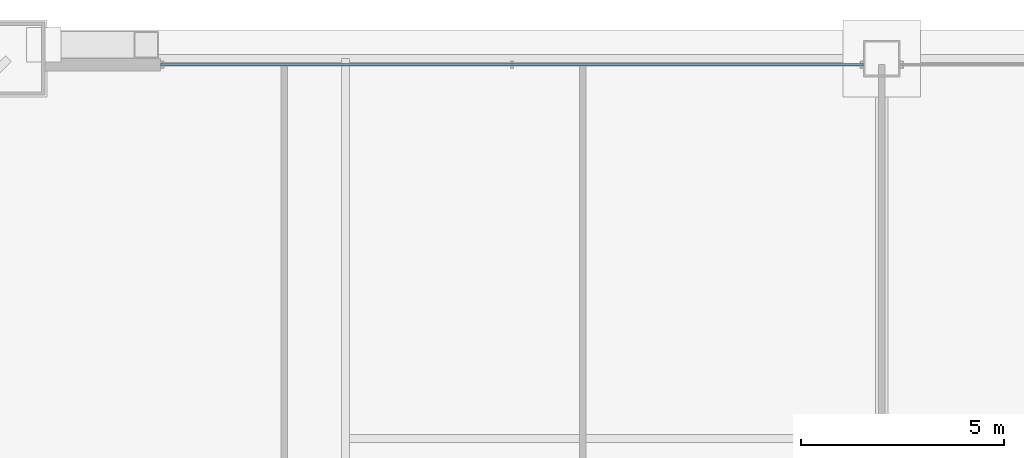
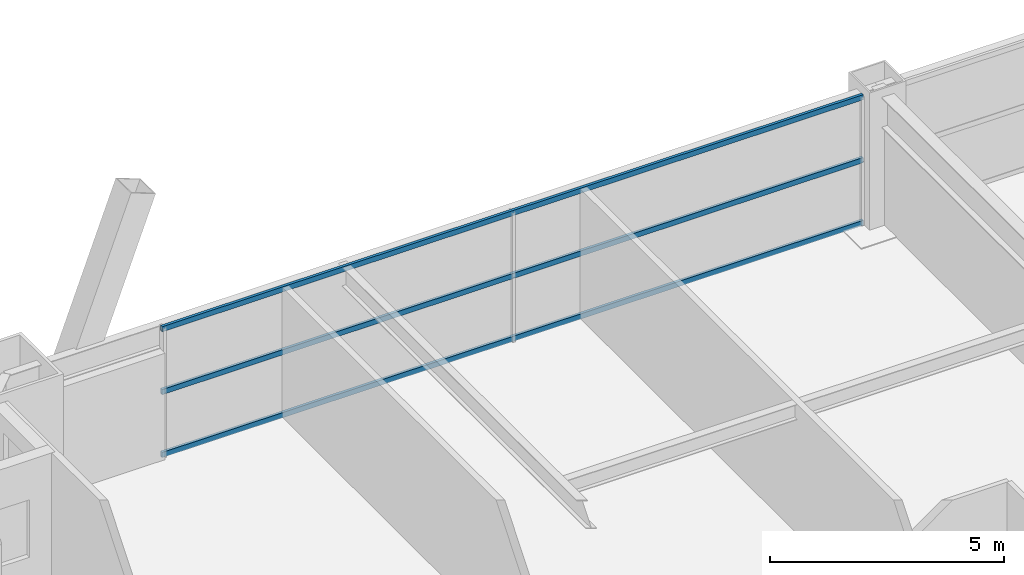
# One storey, part 28 of 45: 3 members, 1 element without a shape of its own.
"""IFC4 building model written with IfcOpenShell, lengths in metres."""

from ifc_helpers import new_model, si_unit, direction, frame, origin, origin_2d, place, context, subcontext, project, spatial, hollow_rectangle, extrude, source, transform, mapped, material, layer, layer_set, material_profile, profile_set, type_object, element, aggregate, save


model = new_model("IFC4")

# Units and contexts
model_context = context("Model", 3, precision=1e-05, world=origin(), true_north=direction((0.0, 1.0)))
body_context = subcontext(model_context, "Body", "Model", "MODEL_VIEW")
ifc_project = project(units=[si_unit("LENGTHUNIT", "METRE"), si_unit("AREAUNIT", "SQUARE_METRE"), si_unit("VOLUMEUNIT", "CUBIC_METRE"), si_unit("PLANEANGLEUNIT", "RADIAN"), si_unit("MASSUNIT", "GRAM", prefix="KILO"), si_unit("THERMODYNAMICTEMPERATUREUNIT", "KELVIN"), si_unit("POWERUNIT", "WATT")], contexts=[model_context])

# Site, building, storey
site_placement = place(None, origin())
site = spatial("IfcSite", under=ifc_project, at=site_placement, CompositionType="ELEMENT")
building_placement = place(site_placement, origin())
building = spatial("IfcBuilding", under=site, at=building_placement, Name="Yuzanri Waterfront Tower", CompositionType="ELEMENT")
storey_placement = place(building_placement, frame((0.0, 0.0, 30.60009765625)))
storey = spatial("IfcBuildingStorey", under=building, at=storey_placement, Name="L07", CompositionType="ELEMENT", Elevation=30.60009765625)

# Curtain wall, members
ifc_material_1 = material(Name="Anodized Architectural Bronze", Category="metal")
ifc_layer = layer(ifc_material_1, 0.159912109375)
ifc_layer_set = layer_set([ifc_layer], Name="Anodized Architectural Bronze")
curtain_wall_type = type_object("IfcCurtainWallType", Name="Anodized Bronze Hotel Lower-Tier Recessed Unitized Curtain Wall 8100", PredefinedType="NOTDEFINED", material=ifc_layer_set)
curtain_wall_placement = place(storey_placement, origin())
curtain_wall = element("IfcCurtainWall", 1, at=curtain_wall_placement, inside=storey, type_object=curtain_wall_type, Name="L07 Curtain Wall CW-L07-NL", PredefinedType="NOTDEFINED")
ifc_material_2 = material(Name="Anodized Architectural Bronze", Category="metal")
ifc_material_profile = material_profile(ifc_material_2, hollow_rectangle(XDim=0.070068359375, YDim=0.135009765625, WallThickness=0.00341796875, at=origin_2d()), Name="CWT 70x135")
ifc_profile_set = profile_set([ifc_material_profile], Name="Anodized Architectural Bronze")
member_type = type_object("IfcMemberType", Name="Anodized Bronze Standard Curtain-Wall Transom 70x135", PredefinedType="USERDEFINED", material=ifc_profile_set)
shared_shape = source(origin(), body_context, "Body", "SweptSolid", [
    extrude(hollow_rectangle(XDim=0.070068359375, YDim=0.135009765625, WallThickness=0.00341796875, at=origin_2d()), origin(), (0.0, 0.0, 1.0), 17.300048828125),
])
member_1_placement = place(storey_placement, frame((19.25, 50.75, 0.0498046875), z_axis=(1.0, 0.0, 0.0), x_axis=(0.0, 1.0, 0.0)))
member_1 = element("IfcMember", 2, at=member_1_placement, type_object=member_type, Name="CW-L07-NL Transom 1", ObjectType="TRANSOM", PredefinedType="USERDEFINED", context=body_context, shape_type="MappedRepresentation", body=[
    mapped(shared_shape, transform((0.0, 0.0, 0.0), scale=1.0)),
])
member_2_placement = place(storey_placement, frame((19.25, 50.75, 1.68994140625), z_axis=(1.0, 0.0, 0.0), x_axis=(0.0, 1.0, 0.0)))
member_2 = element("IfcMember", 3, at=member_2_placement, type_object=member_type, Name="CW-L07-NL Transom 2", ObjectType="TRANSOM", PredefinedType="USERDEFINED", context=body_context, shape_type="MappedRepresentation", body=[
    mapped(shared_shape, transform((0.0, 0.0, 0.0), scale=1.0)),
])
member_3_placement = place(storey_placement, frame((19.25, 50.75, 3.329833984375), z_axis=(1.0, 0.0, 0.0), x_axis=(0.0, 1.0, 0.0)))
member_3 = element("IfcMember", 4, at=member_3_placement, type_object=member_type, Name="CW-L07-NL Transom 3", ObjectType="TRANSOM", PredefinedType="USERDEFINED", context=body_context, shape_type="MappedRepresentation", body=[
    mapped(shared_shape, transform((0.0, 0.0, 0.0), scale=1.0)),
])
aggregate(curtain_wall, [member_1, member_2, member_3])

save(model, "model.ifc")
